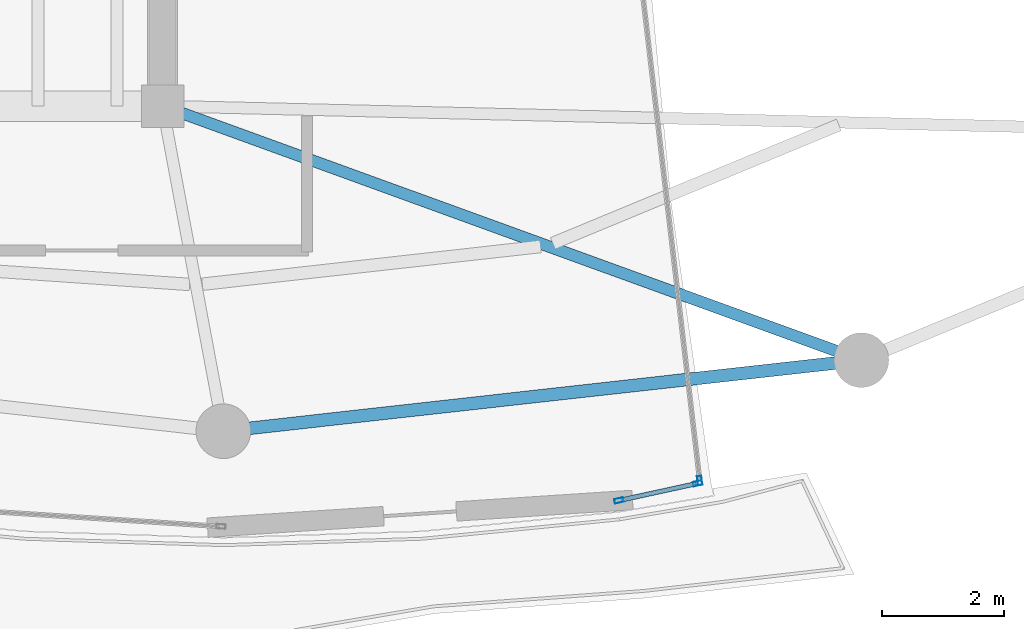
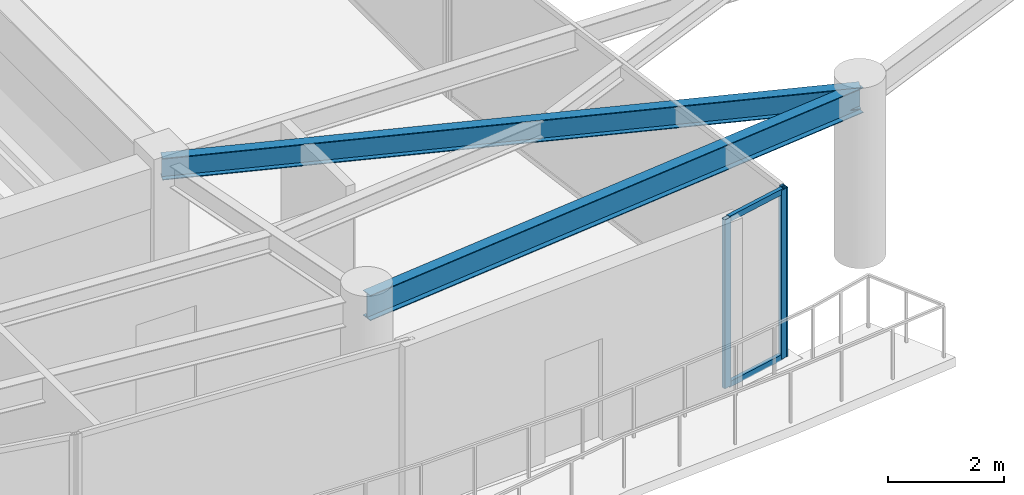
# One storey, part 10 of 23: 5 members, 2 beams, 2 elements without a shape of their own.
"""IFC4 building model written with IfcOpenShell, lengths in metres."""

from ifc_helpers import new_model, si_unit, direction, frame, origin, origin_2d, place, context, subcontext, project, spatial, hollow_rectangle, i_section, extrude, material, layer, layer_set, material_profile, profile_set, type_object, element, aggregate, save


model = new_model("IFC4")

# Units and contexts
model_context = context("Model", 3, precision=1e-05, world=origin(), true_north=direction((0.0, 1.0)))
body_context = subcontext(model_context, "Body", "Model", "MODEL_VIEW")
ifc_project = project(units=[si_unit("LENGTHUNIT", "METRE"), si_unit("AREAUNIT", "SQUARE_METRE"), si_unit("VOLUMEUNIT", "CUBIC_METRE"), si_unit("PLANEANGLEUNIT", "RADIAN"), si_unit("MASSUNIT", "GRAM", prefix="KILO")], contexts=[model_context])

# Site, building, storey
site_placement = place(None, origin())
site = spatial("IfcSite", under=ifc_project, at=site_placement, CompositionType="ELEMENT")
building_placement = place(site_placement, origin())
building = spatial("IfcBuilding", under=site, at=building_placement, Name="Kazevale Care Tower and Concert Hall", CompositionType="ELEMENT")
storey_placement = place(building_placement, frame((0.0, 0.0, 270.0)))
storey = spatial("IfcBuildingStorey", under=building, at=storey_placement, Name="L71", CompositionType="ELEMENT", Elevation=270.0)

# Curtain wall, member
ifc_material_1 = material(Name="Aluminium 6063-T6 and Low-E Glass", Category="aluminium")
ifc_layer = layer(ifc_material_1, 0.179931640625)
ifc_layer_set = layer_set([ifc_layer], Name="Aluminium 6063-T6 and Low-E Glass")
curtain_wall_type = type_object("IfcCurtainWallType", Name="Sheltered Concave Balcony Curtain Wall CW-5", PredefinedType="NOTDEFINED", material=ifc_layer_set)
curtain_wall_1_placement = place(storey_placement, origin())
curtain_wall_1 = element("IfcCurtainWall", 1, at=curtain_wall_1_placement, inside=storey, type_object=curtain_wall_type, Name="cw:L71:f15", PredefinedType="NOTDEFINED")
ifc_material_2 = material(Name="Aluminium 6063-T6", Category="aluminium")
ifc_material_profile_1 = material_profile(ifc_material_2, hollow_rectangle(XDim=0.074951171875, YDim=0.14990234375, WallThickness=0.00390625, at=origin_2d()), Name="ALU75x150x4")
ifc_profile_set_1 = profile_set([ifc_material_profile_1], Name="Aluminium 6063-T6")
member_type_1 = type_object("IfcMemberType", Name="CW-5 Mullion ALU75x150x4", PredefinedType="MULLION", material=ifc_profile_set_1)
member_1_placement = place(storey_placement, frame((52.838623046875, 17.437255859375, 0.0), z_axis=(0.0, 0.0, 1.0), x_axis=(0.993190623592, 0.116500580295, 0.0)))
member_1 = element("IfcMember", 2, at=member_1_placement, type_object=member_type_1, Name="CW-5 mullion 2", PredefinedType="MULLION", context=body_context, shape_type="SweptSolid", body=[
    extrude(hollow_rectangle(XDim=0.074951171875, YDim=0.14990234375, WallThickness=0.00390625, at=origin_2d()), origin(), (0.0, 0.0, 1.0), 3.56005859375),
])
aggregate(curtain_wall_1, [member_1])

# Curtain wall, members
curtain_wall_2_placement = place(storey_placement, origin())
curtain_wall_2 = element("IfcCurtainWall", 3, at=curtain_wall_2_placement, inside=storey, type_object=curtain_wall_type, Name="cw:L71:f16", PredefinedType="NOTDEFINED")
member_2_placement = place(storey_placement, frame((52.806396484375, 17.39208984375, 0.0), z_axis=(0.0, 0.0, 1.0), x_axis=(0.212696324933, -0.977118351767, 0.0)))
member_2 = element("IfcMember", 4, at=member_2_placement, type_object=member_type_1, Name="CW-5 mullion 1", PredefinedType="MULLION", context=body_context, shape_type="SweptSolid", body=[
    extrude(hollow_rectangle(XDim=0.074951171875, YDim=0.14990234375, WallThickness=0.00390625, at=origin_2d()), origin(), (0.0, 0.0, 1.0), 3.56005859375),
])
member_3_placement = place(storey_placement, frame((51.5107421875, 17.10986328125, 0.0), z_axis=(0.0, 0.0, 1.0), x_axis=(0.212696324933, -0.977118351767, 0.0)))
member_3 = element("IfcMember", 5, at=member_3_placement, type_object=member_type_1, Name="CW-5 mullion 2", PredefinedType="MULLION", context=body_context, shape_type="SweptSolid", body=[
    extrude(hollow_rectangle(XDim=0.074951171875, YDim=0.14990234375, WallThickness=0.00390625, at=origin_2d()), origin(), (0.0, 0.0, 1.0), 3.56005859375),
])
ifc_material_profile_2 = material_profile(ifc_material_2, hollow_rectangle(XDim=0.074951171875, YDim=0.1201171875, WallThickness=0.00390625, at=origin_2d()), Name="ALU75x120x4")
ifc_profile_set_2 = profile_set([ifc_material_profile_2], Name="Aluminium 6063-T6")
member_type_2 = type_object("IfcMemberType", Name="CW-5 Transom ALU75x120x4", PredefinedType="USERDEFINED", material=ifc_profile_set_2)
member_4_placement = place(storey_placement, frame((52.769775390625, 17.384033203125, 0.03759765625), z_axis=(-0.97711467801, -0.212713201324, 0.0), x_axis=(0.212713201324, -0.97711467801, 0.0)))
member_4 = element("IfcMember", 6, at=member_4_placement, type_object=member_type_2, Name="CW-5 transom 1.1", ObjectType="TRANSOM", PredefinedType="USERDEFINED", context=body_context, shape_type="SweptSolid", body=[
    extrude(hollow_rectangle(XDim=0.074951171875, YDim=0.1201171875, WallThickness=0.00390625, at=origin_2d()), origin(), (0.0, 0.0, 1.0), 1.2509765625),
])
member_5_placement = place(storey_placement, frame((52.769775390625, 17.384033203125, 3.5224609375), z_axis=(-0.97711467801, -0.212713201324, 0.0), x_axis=(0.212713201324, -0.97711467801, 0.0)))
member_5 = element("IfcMember", 7, at=member_5_placement, type_object=member_type_2, Name="CW-5 transom 1.2", ObjectType="TRANSOM", PredefinedType="USERDEFINED", context=body_context, shape_type="SweptSolid", body=[
    extrude(hollow_rectangle(XDim=0.074951171875, YDim=0.1201171875, WallThickness=0.00390625, at=origin_2d()), origin(), (0.0, 0.0, 1.0), 1.2509765625),
])
aggregate(curtain_wall_2, [member_2, member_3, member_4, member_5])

# Beams
ifc_material_3 = material(Name="Steel ASTM A572 Gr 50", Category="steel")
ifc_material_profile_3 = material_profile(ifc_material_3, i_section(OverallWidth=0.19091796875, OverallDepth=0.4599609375, WebThickness=0.010009765625, FlangeThickness=0.01611328125, at=origin_2d()), Name="W460x82")
ifc_profile_set_3 = profile_set([ifc_material_profile_3], Name="Steel ASTM A572 Gr 50")
beam_type_1 = type_object("IfcBeamType", Name="Radial Floor Beam W460x82", PredefinedType="BEAM", material=ifc_profile_set_3)
beam_1_placement = place(storey_placement, frame((44.0, 23.60009765625, 3.330078125), z_axis=(0.939836524786, -0.341624511239, 0.0), x_axis=(0.341624511239, 0.939836524786, 0.0)))
element("IfcBeam", 8, at=beam_1_placement, inside=storey, type_object=beam_type_1, Name="beam:L71:rad:14", PredefinedType="BEAM", context=body_context, shape_type="SweptSolid", body=[
    extrude(i_section(OverallWidth=0.19091796875, OverallDepth=0.4599609375, WebThickness=0.010009765625, FlangeThickness=0.01611328125, at=origin_2d()), origin(), (0.0, 0.0, 1.0), 12.236083984375),
])
ifc_material_profile_4 = material_profile(ifc_material_3, i_section(OverallWidth=0.208984375, OverallDepth=0.532958984375, WebThickness=0.01025390625, FlangeThickness=0.015625, at=origin_2d()), Name="W530x92")
ifc_profile_set_4 = profile_set([ifc_material_profile_4], Name="Steel ASTM A572 Gr 50")
beam_type_2 = type_object("IfcBeamType", Name="Upper Ring Beam W530x92", PredefinedType="BEAM", material=ifc_profile_set_4)
beam_2_placement = place(storey_placement, frame((45.0, 18.25, 3.29345703125), z_axis=(0.993849870772, 0.110735876598, 0.0), x_axis=(-0.110735876598, 0.993849870772, 0.0)))
element("IfcBeam", 9, at=beam_2_placement, inside=storey, type_object=beam_type_2, Name="beam:L71:ring:13", PredefinedType="BEAM", context=body_context, shape_type="SweptSolid", body=[
    extrude(i_section(OverallWidth=0.208984375, OverallDepth=0.532958984375, WebThickness=0.01025390625, FlangeThickness=0.015625, at=origin_2d()), origin(), (0.0, 0.0, 1.0), 10.56494140625),
])

save(model, "model.ifc")
